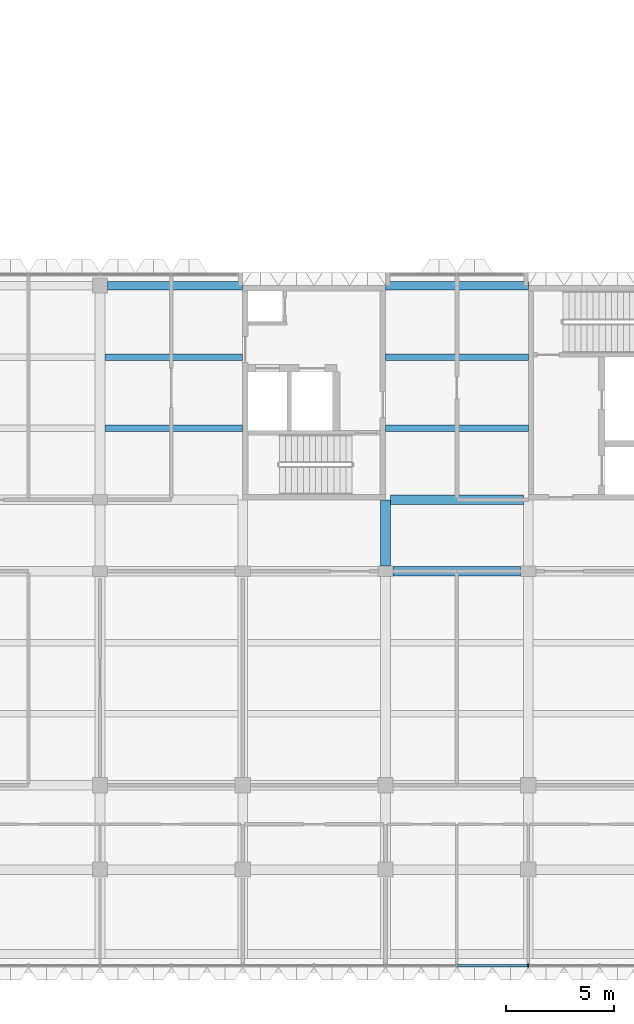
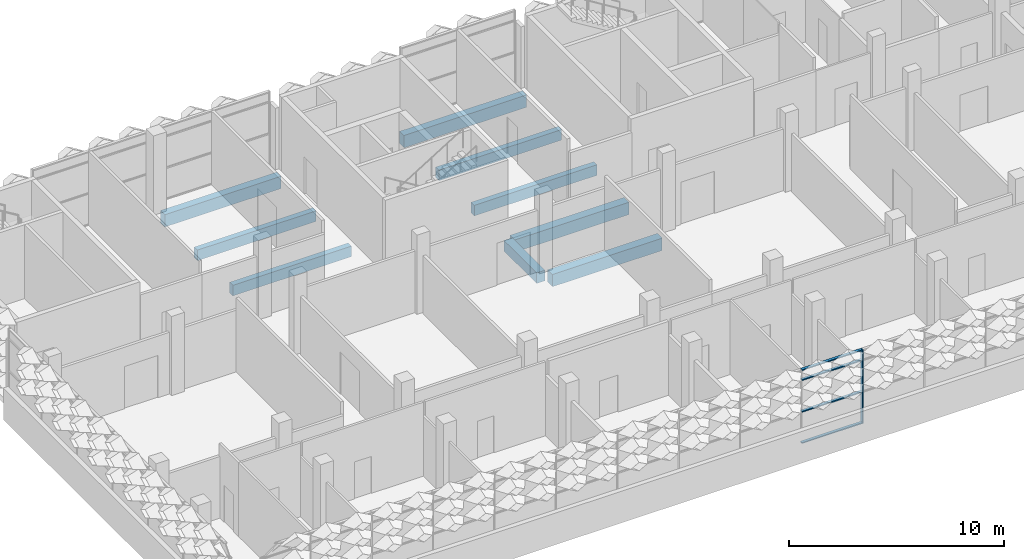
# One storey, part 5 of 85: 9 beams, 5 members, 1 element without a shape of its own.
"""IFC4 building model written with IfcOpenShell, lengths in metres."""

import ifcopenshell
import ifcopenshell.guid

model = None  # the IFC model being written
_history = None  # IfcOwnerHistory: only IFC2X3 demands one
_inside = {}  # id of a spatial element -> (the spatial element, [elements in it])
_under = {}  # id of a project, library or spatial element -> (it, [spatial elements below it])
_declared = {}  # id of a project -> (the project, [libraries it declares])
_typed = {}  # id of a type object -> (the type object, [elements of that type])
_made_of = {}  # id of a material, layer set ... -> (it, [elements and type objects made of it])


def new_model(schema):
    """Start an empty IFC model of exactly this schema.

    Asked for "IFC4X3", IfcOpenShell would pick the latest addendum, in which some entities
    have other attributes; the version numbers below select the first issue.
    IFC2X3 requires an IfcOwnerHistory on every rooted entity: one is made here for all.
    """
    global model, _history
    if schema == "IFC4X3":
        model = ifcopenshell.file(schema_version=(4, 3, 0, 0))
    else:
        model = ifcopenshell.file(schema=schema)
    _inside.clear()
    _under.clear()
    _declared.clear()
    _typed.clear()
    _made_of.clear()
    _history = None
    if model.schema == "IFC2X3":
        org = make("IfcOrganization", Name="unknown")
        user = make(
            "IfcPersonAndOrganization",
            ThePerson=make("IfcPerson", FamilyName="unknown"),
            TheOrganization=org,
        )
        app = make(
            "IfcApplication",
            ApplicationDeveloper=org,
            Version="unknown",
            ApplicationFullName="unknown",
            ApplicationIdentifier="unknown",
        )
        _history = make(
            "IfcOwnerHistory",
            OwningUser=user,
            OwningApplication=app,
            ChangeAction="ADDED",
            CreationDate=0,
        )
    return model


def make(cls, **values):
    """One entity of the class cls with the attributes given. An attribute that is None is left unset."""
    return model.create_entity(
        cls, **{name: value for name, value in values.items() if value is not None}
    )


def rooted(cls, **values):
    """An entity with a GlobalId (a new one), such as an element, a storey or a relation."""
    return make(cls, GlobalId=ifcopenshell.guid.new(), OwnerHistory=_history, **values)


def si_unit(unit_type, name, prefix=None):
    """IfcSIUnit, for example si_unit("LENGTHUNIT", "METRE", prefix="MILLI")."""
    return make("IfcSIUnit", UnitType=unit_type, Prefix=prefix, Name=name)


def assignment(units):
    """IfcUnitAssignment: the units of a project."""
    return None if units is None else make("IfcUnitAssignment", Units=units)


def point(xyz):
    """IfcCartesianPoint."""
    return None if xyz is None else make("IfcCartesianPoint", Coordinates=xyz)


def direction(xyz):
    """IfcDirection."""
    return None if xyz is None else make("IfcDirection", DirectionRatios=xyz)


def frame(location, z_axis=None, x_axis=None):
    """IfcAxis2Placement3D, a coordinate frame: its origin and axes. An axis left out is left unset."""
    return make(
        "IfcAxis2Placement3D",
        Location=point(location),
        Axis=direction(z_axis),
        RefDirection=direction(x_axis),
    )


def frame_2d(location, x_axis=None):
    """IfcAxis2Placement2D, a coordinate frame in the plane: its origin and x axis."""
    return make(
        "IfcAxis2Placement2D", Location=point(location), RefDirection=direction(x_axis)
    )


def origin():
    """The frame at (0, 0, 0) with its axes left unset."""
    return frame((0.0, 0.0, 0.0))


def origin_2d():
    """The frame at (0, 0) in the plane with its x axis left unset."""
    return frame_2d((0.0, 0.0))


def place(relative_to, where):
    """IfcLocalPlacement: puts the frame where relative to a parent placement (None: the world)."""
    return make(
        "IfcLocalPlacement", PlacementRelTo=relative_to, RelativePlacement=where
    )


def context(
    kind, dimensions, precision=None, world=None, true_north=None, identifier=None
):
    """IfcGeometricRepresentationContext, for example the 3D "Model" context."""
    return make(
        "IfcGeometricRepresentationContext",
        ContextIdentifier=identifier,
        ContextType=kind,
        CoordinateSpaceDimension=dimensions,
        Precision=precision,
        WorldCoordinateSystem=world,
        TrueNorth=true_north,
    )


def subcontext(parent, identifier, kind, view, scale=None):
    """IfcGeometricRepresentationSubContext, for example "Body" below "Model"."""
    return make(
        "IfcGeometricRepresentationSubContext",
        ContextIdentifier=identifier,
        ContextType=kind,
        ParentContext=parent,
        TargetScale=scale,
        TargetView=view,
    )


def project(units=None, contexts=None):
    """IfcProject with its units and contexts."""
    return rooted(
        "IfcProject",
        Name="project",
        RepresentationContexts=contexts,
        UnitsInContext=assignment(units),
    )


def spatial(cls, under=None, at=None, **own):
    """A site, building, storey or space (cls), placed at a placement, below another one or the project."""
    s = rooted(cls, ObjectPlacement=at, **own)
    if under is not None:
        _under.setdefault(under.id(), (under, []))[1].append(s)
    return s


def profile(cls, at=None, kind="AREA", **sizes):
    """A parametric profile (cls). Its sizes go by their IFC names, for example OverallWidth=200.0."""
    return make(cls, ProfileType=kind, Position=at, **sizes)


def rectangle(**sizes):
    """IfcRectangleProfileDef."""
    return profile("IfcRectangleProfileDef", **sizes)


def extrude(swept, where, along, depth):
    """IfcExtrudedAreaSolid: the profile swept, set in the frame where, extruded along a direction by depth."""
    return make(
        "IfcExtrudedAreaSolid",
        SweptArea=swept,
        Position=where,
        ExtrudedDirection=direction(along),
        Depth=depth,
    )


def shape(context_of_items, identifier, shape_type, items):
    """IfcShapeRepresentation: the items that make up one representation, for example the "Body"."""
    return make(
        "IfcShapeRepresentation",
        ContextOfItems=context_of_items,
        RepresentationIdentifier=identifier,
        RepresentationType=shape_type,
        Items=items,
    )


def material(Name=None, Category=None):
    """IfcMaterial."""
    return make("IfcMaterial", Name=Name, Category=Category)


def material_profile(
    of_material, cross_section, Name=None, Category=None, Priority=None
):
    """IfcMaterialProfile: a cross section and its material."""
    return make(
        "IfcMaterialProfile",
        Name=Name,
        Material=of_material,
        Profile=cross_section,
        Priority=Priority,
        Category=Category,
    )


def profile_set(profiles, Name=None, composite=None):
    """IfcMaterialProfileSet."""
    return make(
        "IfcMaterialProfileSet",
        Name=Name,
        MaterialProfiles=profiles,
        CompositeProfile=composite,
    )


def made_of(thing, what):
    """Note that an element or type object is made of a material, layer set ...; save() writes the relation."""
    if what is not None:
        _made_of.setdefault(what.id(), (what, []))[1].append(thing)
    return thing


def type_object(cls, material=None, **own):
    """A type object (cls), such as IfcWallType, which elements share."""
    return made_of(rooted(cls, **own), material)


def element(
    cls,
    number,
    at=None,
    inside=None,
    cuts=None,
    type_object=None,
    material=None,
    context=None,
    identifier="Body",
    shape_type=None,
    held_by="IfcProductDefinitionShape",
    body=None,
    shapes=None,
    **own,
):
    """One element of the class cls, such as IfcWall. Its Tag is "e" and its number.

    at: its placement. inside: the storey or other place that contains it. cuts: it is an
    opening in that element (IfcRelVoidsElement). A single representation is given by context,
    identifier, shape_type and body (its items); several are given by shapes. held_by: the class
    of the entity that holds the representations. save() writes the other relations.
    """
    e = rooted(cls, Tag="e%d" % number, ObjectPlacement=at, **own)
    if body is not None:
        shapes = [shape(context, identifier, shape_type, body)]
    if shapes is not None:
        e.Representation = make(held_by, Representations=shapes)
    if inside is not None:
        _inside.setdefault(inside.id(), (inside, []))[1].append(e)
    if cuts is not None:
        rooted(
            "IfcRelVoidsElement", RelatingBuildingElement=cuts, RelatedOpeningElement=e
        )
    if type_object is not None:
        _typed.setdefault(type_object.id(), (type_object, []))[1].append(e)
    return made_of(e, material)


def aggregate(whole, parts):
    """IfcRelAggregates: a whole, such as a stair, and the parts it consists of."""
    return rooted("IfcRelAggregates", RelatingObject=whole, RelatedObjects=parts)


def save(model, path):
    """Write the relations noted so far, then the file.

    IfcRelAggregates (storeys below a building ...), IfcRelContainedInSpatialStructure (elements
    in a storey), IfcRelDefinesByType, IfcRelAssociatesMaterial and IfcRelDeclares: one each for
    every whole, place, type object, material and project.
    """
    for whole, parts in _under.values():
        aggregate(whole, parts)
    for where, things in _inside.values():
        rooted(
            "IfcRelContainedInSpatialStructure",
            RelatedElements=things,
            RelatingStructure=where,
        )
    for kind, things in _typed.values():
        rooted("IfcRelDefinesByType", RelatedObjects=things, RelatingType=kind)
    for what, things in _made_of.values():
        rooted("IfcRelAssociatesMaterial", RelatedObjects=things, RelatingMaterial=what)
    for by, libraries in _declared.values():
        rooted("IfcRelDeclares", RelatingContext=by, RelatedDefinitions=libraries)
    model.write(path)


model = new_model("IFC4")

# Units and contexts
model_context = context("Model", 3, precision=1e-05, world=origin(), true_north=direction((0.0, 1.0)))
body_context = subcontext(model_context, "Body", "Model", "MODEL_VIEW")
ifc_project = project(units=[si_unit("LENGTHUNIT", "METRE"), si_unit("AREAUNIT", "SQUARE_METRE"), si_unit("VOLUMEUNIT", "CUBIC_METRE"), si_unit("PLANEANGLEUNIT", "RADIAN"), si_unit("MASSUNIT", "GRAM", prefix="KILO")], contexts=[model_context])

# Site, building, storey
site_placement = place(None, origin())
site = spatial("IfcSite", under=ifc_project, at=site_placement, CompositionType="ELEMENT")
building_placement = place(site_placement, origin())
building = spatial("IfcBuilding", under=site, at=building_placement, Name="Lantern Court Research Institute", CompositionType="ELEMENT")
storey_placement = place(building_placement, frame((0.0, 0.0, 18.89990234375)))
storey = spatial("IfcBuildingStorey", under=building, at=storey_placement, Name="L04", CompositionType="ELEMENT", Elevation=18.89990234375)

# Curtain wall, member
ifc_material_1 = material(Name="Aluminium alloy 6063-T6", Category="aluminium")
curtain_wall_type = type_object("IfcCurtainWallType", Name="Curtain wall 53400 x 4200 x 150 aluminium frame", PredefinedType="NOTDEFINED", material=ifc_material_1)
curtain_wall_placement = place(storey_placement, origin())
curtain_wall = element("IfcCurtainWall", 1, at=curtain_wall_placement, inside=storey, type_object=curtain_wall_type, Name="Curtain wall CW063", PredefinedType="NOTDEFINED")
ifc_material_2 = material(Name="Aluminium alloy 6063-T6", Category="aluminium")
ifc_material_profile_1 = material_profile(ifc_material_2, rectangle(XDim=0.14990234375, YDim=0.06005859375, at=origin_2d()), Name="Mullion 150 x 60")
ifc_profile_set_1 = profile_set([ifc_material_profile_1], Name="Aluminium alloy 6063-T6")
member_type_1 = type_object("IfcMemberType", Name="Mullion 150 x 60 aluminium", PredefinedType="MULLION", material=ifc_profile_set_1)
member_1_placement = place(storey_placement, frame((33.0, -8.324951171875, 0.0), z_axis=(0.0, 0.0, 1.0), x_axis=(0.0, -1.0, 0.0)))
member_1 = element("IfcMember", 2, at=member_1_placement, type_object=member_type_1, Name="CW063 mullion 11", PredefinedType="MULLION", context=body_context, shape_type="SweptSolid", body=[
    extrude(rectangle(XDim=0.14990234375, YDim=0.06005859375, at=origin_2d()), origin(), (0.0, 0.0, 1.0), 4.2001953125),
])

# Beams
ifc_material_3 = material(Name="Concrete C40/50", Category="concrete")
ifc_material_profile_2 = material_profile(ifc_material_3, rectangle(XDim=0.449951171875, YDim=0.699951171875, at=origin_2d()), Name="RC beam 450 x 700")
ifc_profile_set_2 = profile_set([ifc_material_profile_2], Name="Concrete C40/50")
beam_type_1 = type_object("IfcBeamType", Name="RC beam 450 x 700", PredefinedType="BEAM", material=ifc_profile_set_2)
beam_1_placement = place(storey_placement, frame((26.75, 9.89990234375, -0.64990234375), z_axis=(1.0, 0.0, 0.0), x_axis=(0.0, 1.0, 0.0)))
element("IfcBeam", 3, at=beam_1_placement, inside=storey, type_object=beam_type_1, Name="Beam L04 grid B/5-6", PredefinedType="BEAM", context=body_context, shape_type="SweptSolid", body=[
    extrude(rectangle(XDim=0.449951171875, YDim=0.699951171875, at=origin_2d()), origin(), (0.0, 0.0, 1.0), 5.89990234375),
])
beam_2_placement = place(storey_placement, frame((26.625, 13.199951171875, -0.64990234375), z_axis=(1.0, 0.0, 0.0), x_axis=(0.0, 1.0, 0.0)))
element("IfcBeam", 4, at=beam_2_placement, inside=storey, type_object=beam_type_1, Name="Beam L04 grid C/5-6", PredefinedType="BEAM", context=body_context, shape_type="SweptSolid", body=[
    extrude(rectangle(XDim=0.449951171875, YDim=0.699951171875, at=origin_2d()), origin(), (0.0, 0.0, 1.0), 6.14990234375),
])
ifc_material_4 = material(Name="Concrete C40/50", Category="concrete")
ifc_material_profile_3 = material_profile(ifc_material_4, rectangle(XDim=0.39990234375, YDim=0.699951171875, at=origin_2d()), Name="RC beam 400 x 700")
ifc_profile_set_3 = profile_set([ifc_material_profile_3], Name="Concrete C40/50")
beam_type_2 = type_object("IfcBeamType", Name="RC edge beam 400 x 700", PredefinedType="BEAM", material=ifc_profile_set_3)
beam_3_placement = place(storey_placement, frame((13.550048828125, 23.10009765625, -0.64990234375), z_axis=(1.0, 0.0, 0.0), x_axis=(0.0, 1.0, 0.0)))
element("IfcBeam", 5, at=beam_3_placement, inside=storey, type_object=beam_type_2, Name="Edge beam L04 grid D/3-4", PredefinedType="BEAM", context=body_context, shape_type="SweptSolid", body=[
    extrude(rectangle(XDim=0.39990234375, YDim=0.699951171875, at=origin_2d()), origin(), (0.0, 0.0, 1.0), 6.25),
])
beam_4_placement = place(storey_placement, frame((26.39990234375, 23.10009765625, -0.64990234375), z_axis=(1.0, 0.0, 0.0), x_axis=(0.0, 1.0, 0.0)))
element("IfcBeam", 6, at=beam_4_placement, inside=storey, type_object=beam_type_2, Name="Edge beam L04 grid D/5-6", PredefinedType="BEAM", context=body_context, shape_type="SweptSolid", body=[
    extrude(rectangle(XDim=0.39990234375, YDim=0.699951171875, at=origin_2d()), origin(), (0.0, 0.0, 1.0), 6.60009765625),
])
ifc_material_5 = material(Name="Concrete C40/50", Category="concrete")
ifc_material_profile_4 = material_profile(ifc_material_5, rectangle(XDim=0.300048828125, YDim=0.60009765625, at=origin_2d()), Name="RC beam 300 x 600")
ifc_profile_set_4 = profile_set([ifc_material_profile_4], Name="Concrete C40/50")
beam_type_3 = type_object("IfcBeamType", Name="RC secondary beam 300 x 600", PredefinedType="BEAM", material=ifc_profile_set_4)
beam_5_placement = place(storey_placement, frame((13.425048828125, 16.5, -0.599853515625), z_axis=(1.0, 0.0, 0.0), x_axis=(0.0, 1.0, 0.0)))
element("IfcBeam", 7, at=beam_5_placement, inside=storey, type_object=beam_type_3, Name="Secondary beam L04 grids 3-4 / C-D, line 1", PredefinedType="BEAM", context=body_context, shape_type="SweptSolid", body=[
    extrude(rectangle(XDim=0.300048828125, YDim=0.60009765625, at=origin_2d()), origin(), (0.0, 0.0, 1.0), 6.375),
])
beam_6_placement = place(storey_placement, frame((26.39990234375, 16.5, -0.599853515625), z_axis=(1.0, 0.0, 0.0), x_axis=(0.0, 1.0, 0.0)))
element("IfcBeam", 8, at=beam_6_placement, inside=storey, type_object=beam_type_3, Name="Secondary beam L04 grids 5-6 / C-D, line 1", PredefinedType="BEAM", context=body_context, shape_type="SweptSolid", body=[
    extrude(rectangle(XDim=0.300048828125, YDim=0.60009765625, at=origin_2d()), origin(), (0.0, 0.0, 1.0), 6.60009765625),
])
beam_7_placement = place(storey_placement, frame((13.425048828125, 19.800048828125, -0.599853515625), z_axis=(1.0, 0.0, 0.0), x_axis=(0.0, 1.0, 0.0)))
element("IfcBeam", 9, at=beam_7_placement, inside=storey, type_object=beam_type_3, Name="Secondary beam L04 grids 3-4 / C-D, line 2", PredefinedType="BEAM", context=body_context, shape_type="SweptSolid", body=[
    extrude(rectangle(XDim=0.300048828125, YDim=0.60009765625, at=origin_2d()), origin(), (0.0, 0.0, 1.0), 6.375),
])
beam_8_placement = place(storey_placement, frame((26.39990234375, 19.800048828125, -0.599853515625), z_axis=(1.0, 0.0, 0.0), x_axis=(0.0, 1.0, 0.0)))
element("IfcBeam", 10, at=beam_8_placement, inside=storey, type_object=beam_type_3, Name="Secondary beam L04 grids 5-6 / C-D, line 2", PredefinedType="BEAM", context=body_context, shape_type="SweptSolid", body=[
    extrude(rectangle(XDim=0.300048828125, YDim=0.60009765625, at=origin_2d()), origin(), (0.0, 0.0, 1.0), 6.60009765625),
])
ifc_material_6 = material(Name="Concrete C40/50", Category="concrete")
ifc_material_profile_5 = material_profile(ifc_material_6, rectangle(XDim=0.449951171875, YDim=0.60009765625, at=origin_2d()), Name="RC beam 450 x 600")
ifc_profile_set_5 = profile_set([ifc_material_profile_5], Name="Concrete C40/50")
beam_type_4 = type_object("IfcBeamType", Name="RC spine beam 450 x 600", PredefinedType="BEAM", material=ifc_profile_set_5)
beam_9_placement = place(storey_placement, frame((26.39990234375, 10.14990234375, -0.599853515625), z_axis=(0.0, 1.0, 0.0), x_axis=(-1.0, 0.0, 0.0)))
element("IfcBeam", 11, at=beam_9_placement, inside=storey, type_object=beam_type_4, Name="Beam L04 grid 5/B-C", PredefinedType="BEAM", context=body_context, shape_type="SweptSolid", body=[
    extrude(rectangle(XDim=0.449951171875, YDim=0.60009765625, at=origin_2d()), origin(), (0.0, 0.0, 1.0), 3.050048828125),
])

# Member
ifc_material_7 = material(Name="Aluminium alloy 6063-T6", Category="aluminium")
ifc_material_profile_6 = material_profile(ifc_material_7, rectangle(XDim=0.14990234375, YDim=0.06005859375, at=origin_2d()), Name="Transom 150 x 60")
ifc_profile_set_6 = profile_set([ifc_material_profile_6], Name="Aluminium alloy 6063-T6")
member_type_2 = type_object("IfcMemberType", Name="Transom 150 x 60 aluminium", PredefinedType="USERDEFINED", material=ifc_profile_set_6)
member_2_placement = place(storey_placement, frame((32.969970703125, -8.324951171875, 0.030029296875), z_axis=(-1.0, 0.0, 0.0), x_axis=(0.0, -1.0, 0.0)))
member_2 = element("IfcMember", 12, at=member_2_placement, type_object=member_type_2, Name="CW063 transom 10.1", ObjectType="TRANSOM", PredefinedType="USERDEFINED", context=body_context, shape_type="SweptSolid", body=[
    extrude(rectangle(XDim=0.14990234375, YDim=0.06005859375, at=origin_2d()), origin(), (0.0, 0.0, 1.0), 3.239990234375),
])

member_3_placement = place(storey_placement, frame((32.969970703125, -8.324951171875, 1.800048828125), z_axis=(-1.0, 0.0, 0.0), x_axis=(0.0, -1.0, 0.0)))
member_3 = element("IfcMember", 13, at=member_3_placement, type_object=member_type_2, Name="CW063 transom 10.2", ObjectType="TRANSOM", PredefinedType="USERDEFINED", context=body_context, shape_type="SweptSolid", body=[
    extrude(rectangle(XDim=0.14990234375, YDim=0.06005859375, at=origin_2d()), origin(), (0.0, 0.0, 1.0), 3.239990234375),
])

member_4_placement = place(storey_placement, frame((32.969970703125, -8.324951171875, 3.60009765625), z_axis=(-1.0, 0.0, 0.0), x_axis=(0.0, -1.0, 0.0)))
member_4 = element("IfcMember", 14, at=member_4_placement, type_object=member_type_2, Name="CW063 transom 10.3", ObjectType="TRANSOM", PredefinedType="USERDEFINED", context=body_context, shape_type="SweptSolid", body=[
    extrude(rectangle(XDim=0.14990234375, YDim=0.06005859375, at=origin_2d()), origin(), (0.0, 0.0, 1.0), 3.239990234375),
])

member_5_placement = place(storey_placement, frame((32.969970703125, -8.324951171875, 4.170166015625), z_axis=(-1.0, 0.0, 0.0), x_axis=(0.0, -1.0, 0.0)))
member_5 = element("IfcMember", 15, at=member_5_placement, type_object=member_type_2, Name="CW063 transom 10.4", ObjectType="TRANSOM", PredefinedType="USERDEFINED", context=body_context, shape_type="SweptSolid", body=[
    extrude(rectangle(XDim=0.14990234375, YDim=0.06005859375, at=origin_2d()), origin(), (0.0, 0.0, 1.0), 3.239990234375),
])

aggregate(curtain_wall, [member_1, member_2, member_3, member_4, member_5])

save(model, "model.ifc")
